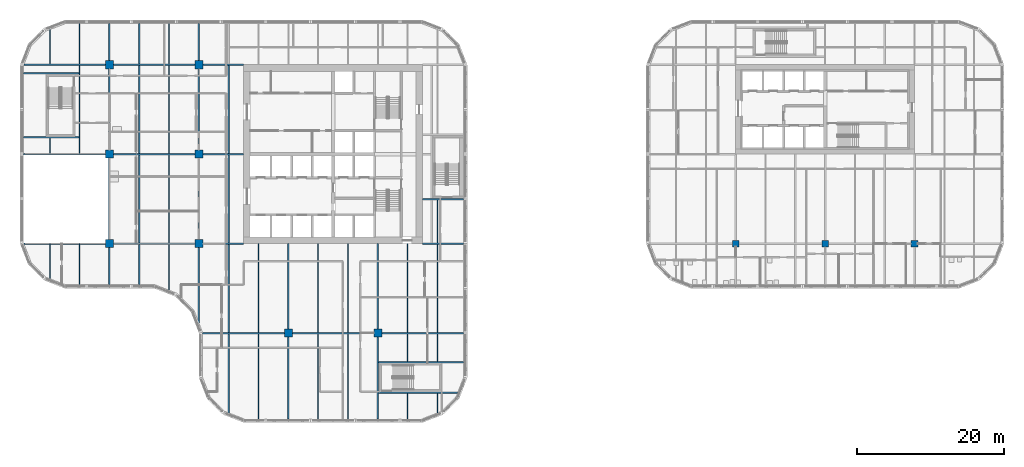
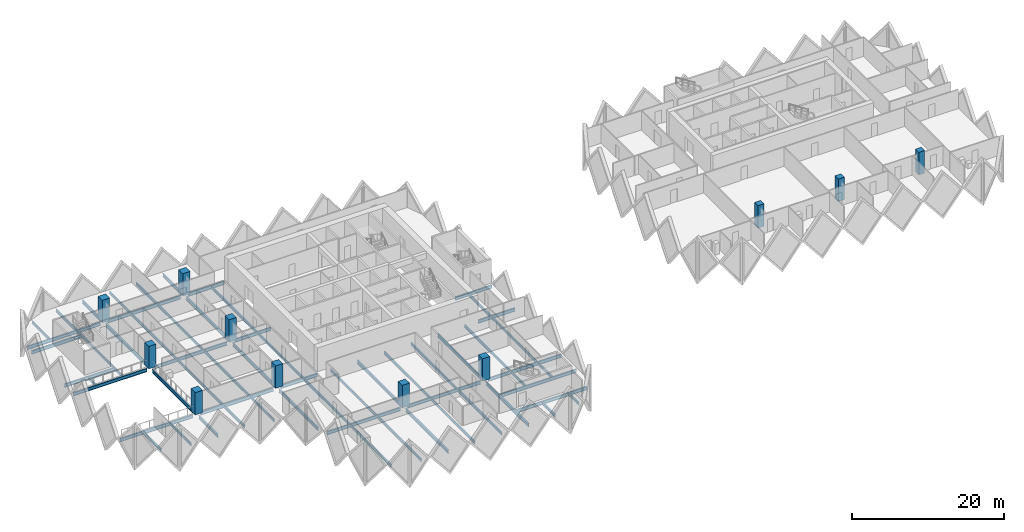
# One storey, part 1 of 20: 61 beams, 11 columns.
"""IFC4 building model written with IfcOpenShell, lengths in metres."""

import ifcopenshell
import ifcopenshell.guid

model = None  # the IFC model being written
_history = None  # IfcOwnerHistory: only IFC2X3 demands one
_inside = {}  # id of a spatial element -> (the spatial element, [elements in it])
_under = {}  # id of a project, library or spatial element -> (it, [spatial elements below it])
_declared = {}  # id of a project -> (the project, [libraries it declares])
_typed = {}  # id of a type object -> (the type object, [elements of that type])
_made_of = {}  # id of a material, layer set ... -> (it, [elements and type objects made of it])


def new_model(schema):
    """Start an empty IFC model of exactly this schema.

    Asked for "IFC4X3", IfcOpenShell would pick the latest addendum, in which some entities
    have other attributes; the version numbers below select the first issue.
    IFC2X3 requires an IfcOwnerHistory on every rooted entity: one is made here for all.
    """
    global model, _history
    if schema == "IFC4X3":
        model = ifcopenshell.file(schema_version=(4, 3, 0, 0))
    else:
        model = ifcopenshell.file(schema=schema)
    _inside.clear()
    _under.clear()
    _declared.clear()
    _typed.clear()
    _made_of.clear()
    _history = None
    if model.schema == "IFC2X3":
        org = make("IfcOrganization", Name="unknown")
        user = make(
            "IfcPersonAndOrganization",
            ThePerson=make("IfcPerson", FamilyName="unknown"),
            TheOrganization=org,
        )
        app = make(
            "IfcApplication",
            ApplicationDeveloper=org,
            Version="unknown",
            ApplicationFullName="unknown",
            ApplicationIdentifier="unknown",
        )
        _history = make(
            "IfcOwnerHistory",
            OwningUser=user,
            OwningApplication=app,
            ChangeAction="ADDED",
            CreationDate=0,
        )
    return model


def make(cls, **values):
    """One entity of the class cls with the attributes given. An attribute that is None is left unset."""
    return model.create_entity(
        cls, **{name: value for name, value in values.items() if value is not None}
    )


def rooted(cls, **values):
    """An entity with a GlobalId (a new one), such as an element, a storey or a relation."""
    return make(cls, GlobalId=ifcopenshell.guid.new(), OwnerHistory=_history, **values)


def si_unit(unit_type, name, prefix=None):
    """IfcSIUnit, for example si_unit("LENGTHUNIT", "METRE", prefix="MILLI")."""
    return make("IfcSIUnit", UnitType=unit_type, Prefix=prefix, Name=name)


def assignment(units):
    """IfcUnitAssignment: the units of a project."""
    return None if units is None else make("IfcUnitAssignment", Units=units)


def point(xyz):
    """IfcCartesianPoint."""
    return None if xyz is None else make("IfcCartesianPoint", Coordinates=xyz)


def direction(xyz):
    """IfcDirection."""
    return None if xyz is None else make("IfcDirection", DirectionRatios=xyz)


def frame(location, z_axis=None, x_axis=None):
    """IfcAxis2Placement3D, a coordinate frame: its origin and axes. An axis left out is left unset."""
    return make(
        "IfcAxis2Placement3D",
        Location=point(location),
        Axis=direction(z_axis),
        RefDirection=direction(x_axis),
    )


def frame_2d(location, x_axis=None):
    """IfcAxis2Placement2D, a coordinate frame in the plane: its origin and x axis."""
    return make(
        "IfcAxis2Placement2D", Location=point(location), RefDirection=direction(x_axis)
    )


def origin():
    """The frame at (0, 0, 0) with its axes left unset."""
    return frame((0.0, 0.0, 0.0))


def origin_2d():
    """The frame at (0, 0) in the plane with its x axis left unset."""
    return frame_2d((0.0, 0.0))


def place(relative_to, where):
    """IfcLocalPlacement: puts the frame where relative to a parent placement (None: the world)."""
    return make(
        "IfcLocalPlacement", PlacementRelTo=relative_to, RelativePlacement=where
    )


def context(
    kind, dimensions, precision=None, world=None, true_north=None, identifier=None
):
    """IfcGeometricRepresentationContext, for example the 3D "Model" context."""
    return make(
        "IfcGeometricRepresentationContext",
        ContextIdentifier=identifier,
        ContextType=kind,
        CoordinateSpaceDimension=dimensions,
        Precision=precision,
        WorldCoordinateSystem=world,
        TrueNorth=true_north,
    )


def subcontext(parent, identifier, kind, view, scale=None):
    """IfcGeometricRepresentationSubContext, for example "Body" below "Model"."""
    return make(
        "IfcGeometricRepresentationSubContext",
        ContextIdentifier=identifier,
        ContextType=kind,
        ParentContext=parent,
        TargetScale=scale,
        TargetView=view,
    )


def project(units=None, contexts=None):
    """IfcProject with its units and contexts."""
    return rooted(
        "IfcProject",
        Name="project",
        RepresentationContexts=contexts,
        UnitsInContext=assignment(units),
    )


def spatial(cls, under=None, at=None, **own):
    """A site, building, storey or space (cls), placed at a placement, below another one or the project."""
    s = rooted(cls, ObjectPlacement=at, **own)
    if under is not None:
        _under.setdefault(under.id(), (under, []))[1].append(s)
    return s


def profile(cls, at=None, kind="AREA", **sizes):
    """A parametric profile (cls). Its sizes go by their IFC names, for example OverallWidth=200.0."""
    return make(cls, ProfileType=kind, Position=at, **sizes)


def rectangle(**sizes):
    """IfcRectangleProfileDef."""
    return profile("IfcRectangleProfileDef", **sizes)


def i_section(**sizes):
    """IfcIShapeProfileDef."""
    return profile("IfcIShapeProfileDef", **sizes)


def extrude(swept, where, along, depth):
    """IfcExtrudedAreaSolid: the profile swept, set in the frame where, extruded along a direction by depth."""
    return make(
        "IfcExtrudedAreaSolid",
        SweptArea=swept,
        Position=where,
        ExtrudedDirection=direction(along),
        Depth=depth,
    )


def shape(context_of_items, identifier, shape_type, items):
    """IfcShapeRepresentation: the items that make up one representation, for example the "Body"."""
    return make(
        "IfcShapeRepresentation",
        ContextOfItems=context_of_items,
        RepresentationIdentifier=identifier,
        RepresentationType=shape_type,
        Items=items,
    )


def material(Name=None, Category=None):
    """IfcMaterial."""
    return make("IfcMaterial", Name=Name, Category=Category)


def material_profile(
    of_material, cross_section, Name=None, Category=None, Priority=None
):
    """IfcMaterialProfile: a cross section and its material."""
    return make(
        "IfcMaterialProfile",
        Name=Name,
        Material=of_material,
        Profile=cross_section,
        Priority=Priority,
        Category=Category,
    )


def profile_set(profiles, Name=None, composite=None):
    """IfcMaterialProfileSet."""
    return make(
        "IfcMaterialProfileSet",
        Name=Name,
        MaterialProfiles=profiles,
        CompositeProfile=composite,
    )


def made_of(thing, what):
    """Note that an element or type object is made of a material, layer set ...; save() writes the relation."""
    if what is not None:
        _made_of.setdefault(what.id(), (what, []))[1].append(thing)
    return thing


def type_object(cls, material=None, **own):
    """A type object (cls), such as IfcWallType, which elements share."""
    return made_of(rooted(cls, **own), material)


def element(
    cls,
    number,
    at=None,
    inside=None,
    cuts=None,
    type_object=None,
    material=None,
    context=None,
    identifier="Body",
    shape_type=None,
    held_by="IfcProductDefinitionShape",
    body=None,
    shapes=None,
    **own,
):
    """One element of the class cls, such as IfcWall. Its Tag is "e" and its number.

    at: its placement. inside: the storey or other place that contains it. cuts: it is an
    opening in that element (IfcRelVoidsElement). A single representation is given by context,
    identifier, shape_type and body (its items); several are given by shapes. held_by: the class
    of the entity that holds the representations. save() writes the other relations.
    """
    e = rooted(cls, Tag="e%d" % number, ObjectPlacement=at, **own)
    if body is not None:
        shapes = [shape(context, identifier, shape_type, body)]
    if shapes is not None:
        e.Representation = make(held_by, Representations=shapes)
    if inside is not None:
        _inside.setdefault(inside.id(), (inside, []))[1].append(e)
    if cuts is not None:
        rooted(
            "IfcRelVoidsElement", RelatingBuildingElement=cuts, RelatedOpeningElement=e
        )
    if type_object is not None:
        _typed.setdefault(type_object.id(), (type_object, []))[1].append(e)
    return made_of(e, material)


def aggregate(whole, parts):
    """IfcRelAggregates: a whole, such as a stair, and the parts it consists of."""
    return rooted("IfcRelAggregates", RelatingObject=whole, RelatedObjects=parts)


def save(model, path):
    """Write the relations noted so far, then the file.

    IfcRelAggregates (storeys below a building ...), IfcRelContainedInSpatialStructure (elements
    in a storey), IfcRelDefinesByType, IfcRelAssociatesMaterial and IfcRelDeclares: one each for
    every whole, place, type object, material and project.
    """
    for whole, parts in _under.values():
        aggregate(whole, parts)
    for where, things in _inside.values():
        rooted(
            "IfcRelContainedInSpatialStructure",
            RelatedElements=things,
            RelatingStructure=where,
        )
    for kind, things in _typed.values():
        rooted("IfcRelDefinesByType", RelatedObjects=things, RelatingType=kind)
    for what, things in _made_of.values():
        rooted("IfcRelAssociatesMaterial", RelatedObjects=things, RelatingMaterial=what)
    for by, libraries in _declared.values():
        rooted("IfcRelDeclares", RelatingContext=by, RelatedDefinitions=libraries)
    model.write(path)


model = new_model("IFC4")

# Units and contexts
model_context = context("Model", 3, precision=1e-05, world=origin(), true_north=direction((0.0, 1.0)))
body_context = subcontext(model_context, "Body", "Model", "MODEL_VIEW")
ifc_project = project(units=[si_unit("LENGTHUNIT", "METRE"), si_unit("AREAUNIT", "SQUARE_METRE"), si_unit("VOLUMEUNIT", "CUBIC_METRE"), si_unit("PLANEANGLEUNIT", "RADIAN"), si_unit("MASSUNIT", "GRAM", prefix="KILO")], contexts=[model_context])

# Site, building, storey
site_placement = place(None, origin())
site = spatial("IfcSite", under=ifc_project, at=site_placement, CompositionType="ELEMENT")
building_placement = place(site_placement, origin())
building = spatial("IfcBuilding", under=site, at=building_placement, Name="Tessera Gate Towers", CompositionType="ELEMENT")
storey_placement = place(building_placement, frame((0.0, 0.0, 48.60009765625)))
storey = spatial("IfcBuildingStorey", under=building, at=storey_placement, Name="L11", CompositionType="ELEMENT", Elevation=48.60009765625)

# Columns
ifc_material_1 = material(Name="Concrete C70/85", Category="concrete")
ifc_material_profile_1 = material_profile(ifc_material_1, rectangle(XDim=1.10009765625, YDim=1.10009765625, at=origin_2d()), Name="RC 1100x1100")
ifc_profile_set_1 = profile_set([ifc_material_profile_1], Name="Concrete C70/85")
column_type_1 = type_object("IfcColumnType", Name="COLUMN RC 1100x1100", PredefinedType="COLUMN", material=ifc_profile_set_1)
for number, where, z_axis, x_axis, name in (
    (1, (12.199951171875, 24.39990234375, 0.0), (0.0, 0.0, 1.0), (1.0, 0.0, 0.0), "T1-COL-2C-L11"),
    (2, (12.199951171875, 36.60009765625, 0.0), (0.0, 0.0, 1.0), (1.0, 0.0, 0.0), "T1-COL-2D-L11"),
    (3, (12.199951171875, 48.800048828125, 0.0), (0.0, 0.0, 1.0), (1.0, 0.0, 0.0), "T1-COL-2E-L11"),
    (4, (24.39990234375, 24.39990234375, 0.0), (0.0, 0.0, 1.0), (1.0, 0.0, 0.0), "T1-COL-3C-L11"),
    (5, (24.39990234375, 36.60009765625, 0.0), (0.0, 0.0, 1.0), (1.0, 0.0, 0.0), "T1-COL-3D-L11"),
    (6, (24.39990234375, 48.800048828125, 0.0), (0.0, 0.0, 1.0), (1.0, 0.0, 0.0), "T1-COL-3E-L11"),
    (7, (36.60009765625, 12.199951171875, 0.0), (0.0, 0.0, 1.0), (1.0, 0.0, 0.0), "T1-COL-4B-L11"),
    (8, (48.800048828125, 12.199951171875, 0.0), (0.0, 0.0, 1.0), (1.0, 0.0, 0.0), "T1-COL-5B-L11"),
):
    element("IfcColumn", number, at=place(storey_placement, frame(where, z_axis=z_axis, x_axis=x_axis)), inside=storey, type_object=column_type_1, Name=name, PredefinedType="COLUMN", context=body_context, shape_type="SweptSolid", body=[
        extrude(rectangle(XDim=1.10009765625, YDim=1.10009765625, at=origin_2d()), origin(), (0.0, 0.0, 1.0), 3.599853515625),
    ])
ifc_material_2 = material(Name="Concrete C70/85", Category="concrete")
ifc_material_profile_2 = material_profile(ifc_material_2, rectangle(XDim=0.89990234375, YDim=0.89990234375, at=origin_2d()), Name="RC 900x900")
ifc_profile_set_2 = profile_set([ifc_material_profile_2], Name="Concrete C70/85")
column_type_2 = type_object("IfcColumnType", Name="COLUMN RC 900x900", PredefinedType="COLUMN", material=ifc_profile_set_2)
for number, where, z_axis, x_axis, name in (
    (9, (97.60009765625, 24.39990234375, 0.0), (0.0, 0.0, 1.0), (1.0, 0.0, 0.0), "T2-COL-9C-L11"),
    (10, (109.800048828125, 24.39990234375, 0.0), (0.0, 0.0, 1.0), (1.0, 0.0, 0.0), "T2-COL-10C-L11"),
    (11, (122.0, 24.39990234375, 0.0), (0.0, 0.0, 1.0), (1.0, 0.0, 0.0), "T2-COL-11C-L11"),
):
    element("IfcColumn", number, at=place(storey_placement, frame(where, z_axis=z_axis, x_axis=x_axis)), inside=storey, type_object=column_type_2, Name=name, PredefinedType="COLUMN", context=body_context, shape_type="SweptSolid", body=[
        extrude(rectangle(XDim=0.89990234375, YDim=0.89990234375, at=origin_2d()), origin(), (0.0, 0.0, 1.0), 3.599853515625),
    ])

# Beams
ifc_material_3 = material(Name="Steel 350W", Category="steel")
ifc_material_profile_3 = material_profile(ifc_material_3, i_section(OverallWidth=0.208984375, OverallDepth=0.532958984375, WebThickness=0.01025390625, FlangeThickness=0.015625, at=origin_2d()), Name="W530x92")
ifc_profile_set_3 = profile_set([ifc_material_profile_3], Name="Steel 350W")
beam_type_1 = type_object("IfcBeamType", Name="FLOOR GIRDER W530x92", PredefinedType="BEAM", material=ifc_profile_set_3)
beam_1_placement = place(storey_placement, frame((24.89892578125, 12.199951171875, -0.466552734375), z_axis=(1.0, 0.0, 0.0), x_axis=(0.0, 1.0, 0.0)))
element("IfcBeam", 12, at=beam_1_placement, inside=storey, type_object=beam_type_1, Name="T1-GD-L11-1633", PredefinedType="BEAM", context=body_context, shape_type="SweptSolid", body=[
    extrude(i_section(OverallWidth=0.208984375, OverallDepth=0.532958984375, WebThickness=0.01025390625, FlangeThickness=0.015625, at=origin_2d()), origin(), (0.0, 0.0, 1.0), 11.151123046875),
])
beam_2_placement = place(storey_placement, frame((37.14990234375, 12.199951171875, -0.466552734375), z_axis=(1.0, 0.0, 0.0), x_axis=(0.0, 1.0, 0.0)))
element("IfcBeam", 13, at=beam_2_placement, inside=storey, type_object=beam_type_1, Name="T1-GD-L11-1634", PredefinedType="BEAM", context=body_context, shape_type="SweptSolid", body=[
    extrude(i_section(OverallWidth=0.208984375, OverallDepth=0.532958984375, WebThickness=0.01025390625, FlangeThickness=0.015625, at=origin_2d()), origin(), (0.0, 0.0, 1.0), 11.10009765625),
])
beam_3_placement = place(storey_placement, frame((49.35009765625, 12.199951171875, -0.466552734375), z_axis=(1.0, 0.0, 0.0), x_axis=(0.0, 1.0, 0.0)))
element("IfcBeam", 14, at=beam_3_placement, inside=storey, type_object=beam_type_1, Name="T1-GD-L11-1635", PredefinedType="BEAM", context=body_context, shape_type="SweptSolid", body=[
    extrude(i_section(OverallWidth=0.208984375, OverallDepth=0.532958984375, WebThickness=0.01025390625, FlangeThickness=0.015625, at=origin_2d()), origin(), (0.0, 0.0, 1.0), 11.15087890625),
])
beam_4_placement = place(storey_placement, frame((0.534912109375, 24.39990234375, -0.466552734375), z_axis=(1.0, 0.0, 0.0), x_axis=(0.0, 1.0, 0.0)))
element("IfcBeam", 15, at=beam_4_placement, inside=storey, type_object=beam_type_1, Name="T1-GD-L11-1636", PredefinedType="BEAM", context=body_context, shape_type="SweptSolid", body=[
    extrude(i_section(OverallWidth=0.208984375, OverallDepth=0.532958984375, WebThickness=0.01025390625, FlangeThickness=0.015625, at=origin_2d()), origin(), (0.0, 0.0, 1.0), 11.114990234375),
])
beam_5_placement = place(storey_placement, frame((12.75, 24.39990234375, -0.466552734375), z_axis=(1.0, 0.0, 0.0), x_axis=(0.0, 1.0, 0.0)))
element("IfcBeam", 16, at=beam_5_placement, inside=storey, type_object=beam_type_1, Name="T1-GD-L11-1637", PredefinedType="BEAM", context=body_context, shape_type="SweptSolid", body=[
    extrude(i_section(OverallWidth=0.208984375, OverallDepth=0.532958984375, WebThickness=0.01025390625, FlangeThickness=0.015625, at=origin_2d()), origin(), (0.0, 0.0, 1.0), 11.10009765625),
])
beam_6_placement = place(storey_placement, frame((24.949951171875, 24.39990234375, -0.466552734375), z_axis=(1.0, 0.0, 0.0), x_axis=(0.0, 1.0, 0.0)))
element("IfcBeam", 17, at=beam_6_placement, inside=storey, type_object=beam_type_1, Name="T1-GD-L11-1638", PredefinedType="BEAM", context=body_context, shape_type="SweptSolid", body=[
    extrude(i_section(OverallWidth=0.208984375, OverallDepth=0.532958984375, WebThickness=0.01025390625, FlangeThickness=0.015625, at=origin_2d()), origin(), (0.0, 0.0, 1.0), 5.549072265625),
])
beam_7_placement = place(storey_placement, frame((54.90087890625, 24.39990234375, -0.466552734375), z_axis=(1.0, 0.0, 0.0), x_axis=(0.0, 1.0, 0.0)))
element("IfcBeam", 18, at=beam_7_placement, inside=storey, type_object=beam_type_1, Name="T1-GD-L11-1639", PredefinedType="BEAM", context=body_context, shape_type="SweptSolid", body=[
    extrude(i_section(OverallWidth=0.208984375, OverallDepth=0.532958984375, WebThickness=0.01025390625, FlangeThickness=0.015625, at=origin_2d()), origin(), (0.0, 0.0, 1.0), 5.60009765625),
])
beam_8_placement = place(storey_placement, frame((0.4990234375, 36.60009765625, -0.466552734375), z_axis=(1.0, 0.0, 0.0), x_axis=(0.0, 1.0, 0.0)))
element("IfcBeam", 19, at=beam_8_placement, inside=storey, type_object=beam_type_1, Name="T1-GD-L11-1640", PredefinedType="BEAM", context=body_context, shape_type="SweptSolid", body=[
    extrude(i_section(OverallWidth=0.208984375, OverallDepth=0.532958984375, WebThickness=0.01025390625, FlangeThickness=0.015625, at=origin_2d()), origin(), (0.0, 0.0, 1.0), 11.15087890625),
])
beam_9_placement = place(storey_placement, frame((12.75, 36.60009765625, -0.466552734375), z_axis=(1.0, 0.0, 0.0), x_axis=(0.0, 1.0, 0.0)))
element("IfcBeam", 20, at=beam_9_placement, inside=storey, type_object=beam_type_1, Name="T1-GD-L11-1641", PredefinedType="BEAM", context=body_context, shape_type="SweptSolid", body=[
    extrude(i_section(OverallWidth=0.208984375, OverallDepth=0.532958984375, WebThickness=0.01025390625, FlangeThickness=0.015625, at=origin_2d()), origin(), (0.0, 0.0, 1.0), 11.10009765625),
])
beam_10_placement = place(storey_placement, frame((24.949951171875, 36.60009765625, -0.466552734375), z_axis=(1.0, 0.0, 0.0), x_axis=(0.0, 1.0, 0.0)))
element("IfcBeam", 21, at=beam_10_placement, inside=storey, type_object=beam_type_1, Name="T1-GD-L11-1642", PredefinedType="BEAM", context=body_context, shape_type="SweptSolid", body=[
    extrude(i_section(OverallWidth=0.208984375, OverallDepth=0.532958984375, WebThickness=0.01025390625, FlangeThickness=0.015625, at=origin_2d()), origin(), (0.0, 0.0, 1.0), 5.551025390625),
])
beam_11_placement = place(storey_placement, frame((0.534912109375, 48.800048828125, -0.466552734375), z_axis=(1.0, 0.0, 0.0), x_axis=(0.0, 1.0, 0.0)))
element("IfcBeam", 22, at=beam_11_placement, inside=storey, type_object=beam_type_1, Name="T1-GD-L11-1644", PredefinedType="BEAM", context=body_context, shape_type="SweptSolid", body=[
    extrude(i_section(OverallWidth=0.208984375, OverallDepth=0.532958984375, WebThickness=0.01025390625, FlangeThickness=0.015625, at=origin_2d()), origin(), (0.0, 0.0, 1.0), 11.114990234375),
])
beam_12_placement = place(storey_placement, frame((12.75, 48.800048828125, -0.466552734375), z_axis=(1.0, 0.0, 0.0), x_axis=(0.0, 1.0, 0.0)))
element("IfcBeam", 23, at=beam_12_placement, inside=storey, type_object=beam_type_1, Name="T1-GD-L11-1645", PredefinedType="BEAM", context=body_context, shape_type="SweptSolid", body=[
    extrude(i_section(OverallWidth=0.208984375, OverallDepth=0.532958984375, WebThickness=0.01025390625, FlangeThickness=0.015625, at=origin_2d()), origin(), (0.0, 0.0, 1.0), 11.10009765625),
])
beam_13_placement = place(storey_placement, frame((24.949951171875, 48.800048828125, -0.466552734375), z_axis=(1.0, 0.0, 0.0), x_axis=(0.0, 1.0, 0.0)))
element("IfcBeam", 24, at=beam_13_placement, inside=storey, type_object=beam_type_1, Name="T1-GD-L11-1646", PredefinedType="BEAM", context=body_context, shape_type="SweptSolid", body=[
    extrude(i_section(OverallWidth=0.208984375, OverallDepth=0.532958984375, WebThickness=0.01025390625, FlangeThickness=0.015625, at=origin_2d()), origin(), (0.0, 0.0, 1.0), 5.549072265625),
])
beam_14_placement = place(storey_placement, frame((12.199951171875, 18.799072265625, -0.466552734375), z_axis=(0.0, 1.0, 0.0), x_axis=(-1.0, 0.0, 0.0)))
element("IfcBeam", 25, at=beam_14_placement, inside=storey, type_object=beam_type_1, Name="T1-GD-L11-1648", PredefinedType="BEAM", context=body_context, shape_type="SweptSolid", body=[
    extrude(i_section(OverallWidth=0.208984375, OverallDepth=0.532958984375, WebThickness=0.01025390625, FlangeThickness=0.015625, at=origin_2d()), origin(), (0.0, 0.0, 1.0), 5.051025390625),
])
for number, where, z_axis, x_axis, name in (
    (26, (12.199951171875, 24.949951171875, -0.466552734375), (0.0, 1.0, 0.0), (-1.0, 0.0, 0.0), "T1-GD-L11-1649"),
    (27, (12.199951171875, 37.14990234375, -0.466552734375), (0.0, 1.0, 0.0), (-1.0, 0.0, 0.0), "T1-GD-L11-1650"),
):
    element("IfcBeam", number, at=place(storey_placement, frame(where, z_axis=z_axis, x_axis=x_axis)), inside=storey, type_object=beam_type_1, Name=name, PredefinedType="BEAM", context=body_context, shape_type="SweptSolid", body=[
        extrude(i_section(OverallWidth=0.208984375, OverallDepth=0.532958984375, WebThickness=0.01025390625, FlangeThickness=0.015625, at=origin_2d()), origin(), (0.0, 0.0, 1.0), 11.10009765625),
    ])
beam_15_placement = place(storey_placement, frame((12.199951171875, 49.35009765625, -0.466552734375), z_axis=(0.0, 1.0, 0.0), x_axis=(-1.0, 0.0, 0.0)))
element("IfcBeam", 28, at=beam_15_placement, inside=storey, type_object=beam_type_1, Name="T1-GD-L11-1651", PredefinedType="BEAM", context=body_context, shape_type="SweptSolid", body=[
    extrude(i_section(OverallWidth=0.208984375, OverallDepth=0.532958984375, WebThickness=0.01025390625, FlangeThickness=0.015625, at=origin_2d()), origin(), (0.0, 0.0, 1.0), 5.05078125),
])
beam_16_placement = place(storey_placement, frame((24.39990234375, 13.58642578125, -0.466552734375), z_axis=(0.0, 1.0, 0.0), x_axis=(-1.0, 0.0, 0.0)))
element("IfcBeam", 29, at=beam_16_placement, inside=storey, type_object=beam_type_1, Name="T1-GD-L11-1652", PredefinedType="BEAM", context=body_context, shape_type="SweptSolid", body=[
    extrude(i_section(OverallWidth=0.208984375, OverallDepth=0.532958984375, WebThickness=0.01025390625, FlangeThickness=0.015625, at=origin_2d()), origin(), (0.0, 0.0, 1.0), 10.263671875),
])
for number, where, z_axis, x_axis, name in (
    (30, (24.39990234375, 24.949951171875, -0.466552734375), (0.0, 1.0, 0.0), (-1.0, 0.0, 0.0), "T1-GD-L11-1653"),
    (31, (24.39990234375, 37.14990234375, -0.466552734375), (0.0, 1.0, 0.0), (-1.0, 0.0, 0.0), "T1-GD-L11-1654"),
):
    element("IfcBeam", number, at=place(storey_placement, frame(where, z_axis=z_axis, x_axis=x_axis)), inside=storey, type_object=beam_type_1, Name=name, PredefinedType="BEAM", context=body_context, shape_type="SweptSolid", body=[
        extrude(i_section(OverallWidth=0.208984375, OverallDepth=0.532958984375, WebThickness=0.01025390625, FlangeThickness=0.015625, at=origin_2d()), origin(), (0.0, 0.0, 1.0), 11.10009765625),
    ])
beam_17_placement = place(storey_placement, frame((24.39990234375, 49.35009765625, -0.466552734375), z_axis=(0.0, 1.0, 0.0), x_axis=(-1.0, 0.0, 0.0)))
element("IfcBeam", 32, at=beam_17_placement, inside=storey, type_object=beam_type_1, Name="T1-GD-L11-1655", PredefinedType="BEAM", context=body_context, shape_type="SweptSolid", body=[
    extrude(i_section(OverallWidth=0.208984375, OverallDepth=0.532958984375, WebThickness=0.01025390625, FlangeThickness=0.015625, at=origin_2d()), origin(), (0.0, 0.0, 1.0), 5.05078125),
])
beam_18_placement = place(storey_placement, frame((36.60009765625, 0.4990234375, -0.466552734375), z_axis=(0.0, 1.0, 0.0), x_axis=(-1.0, 0.0, 0.0)))
element("IfcBeam", 33, at=beam_18_placement, inside=storey, type_object=beam_type_1, Name="T1-GD-L11-1656", PredefinedType="BEAM", context=body_context, shape_type="SweptSolid", body=[
    extrude(i_section(OverallWidth=0.208984375, OverallDepth=0.532958984375, WebThickness=0.01025390625, FlangeThickness=0.015625, at=origin_2d()), origin(), (0.0, 0.0, 1.0), 11.15087890625),
])
beam_19_placement = place(storey_placement, frame((36.60009765625, 12.75, -0.466552734375), z_axis=(0.0, 1.0, 0.0), x_axis=(-1.0, 0.0, 0.0)))
element("IfcBeam", 34, at=beam_19_placement, inside=storey, type_object=beam_type_1, Name="T1-GD-L11-1657", PredefinedType="BEAM", context=body_context, shape_type="SweptSolid", body=[
    extrude(i_section(OverallWidth=0.208984375, OverallDepth=0.532958984375, WebThickness=0.01025390625, FlangeThickness=0.015625, at=origin_2d()), origin(), (0.0, 0.0, 1.0), 11.64990234375),
])
beam_20_placement = place(storey_placement, frame((48.800048828125, 0.4990234375, -0.466552734375), z_axis=(0.0, 1.0, 0.0), x_axis=(-1.0, 0.0, 0.0)))
element("IfcBeam", 35, at=beam_20_placement, inside=storey, type_object=beam_type_1, Name="T1-GD-L11-1658", PredefinedType="BEAM", context=body_context, shape_type="SweptSolid", body=[
    extrude(i_section(OverallWidth=0.208984375, OverallDepth=0.532958984375, WebThickness=0.01025390625, FlangeThickness=0.015625, at=origin_2d()), origin(), (0.0, 0.0, 1.0), 11.15087890625),
])
beam_21_placement = place(storey_placement, frame((48.800048828125, 12.75, -0.466552734375), z_axis=(0.0, 1.0, 0.0), x_axis=(-1.0, 0.0, 0.0)))
element("IfcBeam", 36, at=beam_21_placement, inside=storey, type_object=beam_type_1, Name="T1-GD-L11-1659", PredefinedType="BEAM", context=body_context, shape_type="SweptSolid", body=[
    extrude(i_section(OverallWidth=0.208984375, OverallDepth=0.532958984375, WebThickness=0.01025390625, FlangeThickness=0.015625, at=origin_2d()), origin(), (0.0, 0.0, 1.0), 11.64990234375),
])
for number, where, z_axis, x_axis, name in (
    (37, (0.4990234375, 38.8798828125, -0.466552734375), (1.0, 0.0, 0.0), (0.0, 1.0, 0.0), "T1-GD-L11-1660"),
    (38, (0.4990234375, 47.6201171875, -0.466552734375), (1.0, 0.0, 0.0), (0.0, 1.0, 0.0), "T1-GD-L11-1661"),
):
    element("IfcBeam", number, at=place(storey_placement, frame(where, z_axis=z_axis, x_axis=x_axis)), inside=storey, type_object=beam_type_1, Name=name, PredefinedType="BEAM", context=body_context, shape_type="SweptSolid", body=[
        extrude(i_section(OverallWidth=0.208984375, OverallDepth=0.532958984375, WebThickness=0.01025390625, FlangeThickness=0.015625, at=origin_2d()), origin(), (0.0, 0.0, 1.0), 7.557861328125),
    ])
beam_22_placement = place(storey_placement, frame((48.87646484375, 4.080078125, -0.466552734375), z_axis=(1.0, 0.0, 0.0), x_axis=(0.0, 1.0, 0.0)))
element("IfcBeam", 39, at=beam_22_placement, inside=storey, type_object=beam_type_1, Name="T1-GD-L11-1662", PredefinedType="BEAM", context=body_context, shape_type="SweptSolid", body=[
    extrude(i_section(OverallWidth=0.208984375, OverallDepth=0.532958984375, WebThickness=0.01025390625, FlangeThickness=0.015625, at=origin_2d()), origin(), (0.0, 0.0, 1.0), 10.809326171875),
])
beam_23_placement = place(storey_placement, frame((48.87646484375, 8.219970703125, -0.466552734375), z_axis=(1.0, 0.0, 0.0), x_axis=(0.0, 1.0, 0.0)))
element("IfcBeam", 40, at=beam_23_placement, inside=storey, type_object=beam_type_1, Name="T1-GD-L11-1663", PredefinedType="BEAM", context=body_context, shape_type="SweptSolid", body=[
    extrude(i_section(OverallWidth=0.208984375, OverallDepth=0.532958984375, WebThickness=0.01025390625, FlangeThickness=0.015625, at=origin_2d()), origin(), (0.0, 0.0, 1.0), 11.62451171875),
])
beam_24_placement = place(storey_placement, frame((54.89892578125, 30.47998046875, -0.466552734375), z_axis=(1.0, 0.0, 0.0), x_axis=(0.0, 1.0, 0.0)))
element("IfcBeam", 41, at=beam_24_placement, inside=storey, type_object=beam_type_1, Name="T1-GD-L11-1664", PredefinedType="BEAM", context=body_context, shape_type="SweptSolid", body=[
    extrude(i_section(OverallWidth=0.208984375, OverallDepth=0.532958984375, WebThickness=0.01025390625, FlangeThickness=0.015625, at=origin_2d()), origin(), (0.0, 0.0, 1.0), 5.60205078125),
])
ifc_material_4 = material(Name="Steel 350W", Category="steel")
ifc_material_profile_4 = material_profile(ifc_material_4, i_section(OverallWidth=0.153076171875, OverallDepth=0.455078125, WebThickness=0.008056640625, FlangeThickness=0.01318359375, at=origin_2d()), Name="W460x60")
ifc_profile_set_4 = profile_set([ifc_material_profile_4], Name="Steel 350W")
beam_type_2 = type_object("IfcBeamType", Name="FLOOR SECONDARY W460x60", PredefinedType="BEAM", material=ifc_profile_set_4)
beam_25_placement = place(storey_placement, frame((4.066650390625, 19.620361328125, -0.427490234375), z_axis=(0.0, 1.0, 0.0), x_axis=(-1.0, 0.0, 0.0)))
element("IfcBeam", 42, at=beam_25_placement, inside=storey, type_object=beam_type_2, Name="T1-BM-L11-1667", PredefinedType="BEAM", context=body_context, shape_type="SweptSolid", body=[
    extrude(i_section(OverallWidth=0.153076171875, OverallDepth=0.455078125, WebThickness=0.008056640625, FlangeThickness=0.01318359375, at=origin_2d()), origin(), (0.0, 0.0, 1.0), 4.779541015625),
])
beam_26_placement = place(storey_placement, frame((4.066650390625, 36.70458984375, -0.427490234375), z_axis=(0.0, 1.0, 0.0), x_axis=(-1.0, 0.0, 0.0)))
element("IfcBeam", 43, at=beam_26_placement, inside=storey, type_object=beam_type_2, Name="T1-BM-L11-1668", PredefinedType="BEAM", context=body_context, shape_type="SweptSolid", body=[
    extrude(i_section(OverallWidth=0.153076171875, OverallDepth=0.455078125, WebThickness=0.008056640625, FlangeThickness=0.01318359375, at=origin_2d()), origin(), (0.0, 0.0, 1.0), 2.07080078125),
])
beam_27_placement = place(storey_placement, frame((4.066650390625, 48.904541015625, -0.427490234375), z_axis=(0.0, 1.0, 0.0), x_axis=(-1.0, 0.0, 0.0)))
element("IfcBeam", 44, at=beam_27_placement, inside=storey, type_object=beam_type_2, Name="T1-BM-L11-1669", PredefinedType="BEAM", context=body_context, shape_type="SweptSolid", body=[
    extrude(i_section(OverallWidth=0.153076171875, OverallDepth=0.455078125, WebThickness=0.008056640625, FlangeThickness=0.01318359375, at=origin_2d()), origin(), (0.0, 0.0, 1.0), 4.675048828125),
])
beam_28_placement = place(storey_placement, frame((8.13330078125, 18.800048828125, -0.427490234375), z_axis=(0.0, 1.0, 0.0), x_axis=(-1.0, 0.0, 0.0)))
element("IfcBeam", 45, at=beam_28_placement, inside=storey, type_object=beam_type_2, Name="T1-BM-L11-1670", PredefinedType="BEAM", context=body_context, shape_type="SweptSolid", body=[
    extrude(i_section(OverallWidth=0.153076171875, OverallDepth=0.455078125, WebThickness=0.008056640625, FlangeThickness=0.01318359375, at=origin_2d()), origin(), (0.0, 0.0, 1.0), 5.599853515625),
])
beam_29_placement = place(storey_placement, frame((8.13330078125, 36.70458984375, -0.427490234375), z_axis=(0.0, 1.0, 0.0), x_axis=(-1.0, 0.0, 0.0)))
element("IfcBeam", 46, at=beam_29_placement, inside=storey, type_object=beam_type_2, Name="T1-BM-L11-1671", PredefinedType="BEAM", context=body_context, shape_type="SweptSolid", body=[
    extrude(i_section(OverallWidth=0.153076171875, OverallDepth=0.455078125, WebThickness=0.008056640625, FlangeThickness=0.01318359375, at=origin_2d()), origin(), (0.0, 0.0, 1.0), 11.990966796875),
])
for number, where, z_axis, x_axis, name in (
    (47, (8.13330078125, 48.904541015625, -0.427490234375), (0.0, 1.0, 0.0), (-1.0, 0.0, 0.0), "T1-BM-L11-1672"),
    (48, (16.2666015625, 18.800048828125, -0.427490234375), (0.0, 1.0, 0.0), (-1.0, 0.0, 0.0), "T1-BM-L11-1673"),
):
    element("IfcBeam", number, at=place(storey_placement, frame(where, z_axis=z_axis, x_axis=x_axis)), inside=storey, type_object=beam_type_2, Name=name, PredefinedType="BEAM", context=body_context, shape_type="SweptSolid", body=[
        extrude(i_section(OverallWidth=0.153076171875, OverallDepth=0.455078125, WebThickness=0.008056640625, FlangeThickness=0.01318359375, at=origin_2d()), origin(), (0.0, 0.0, 1.0), 5.495361328125),
    ])
beam_30_placement = place(storey_placement, frame((16.2666015625, 24.50439453125, -0.427490234375), z_axis=(0.0, 1.0, 0.0), x_axis=(-1.0, 0.0, 0.0)))
element("IfcBeam", 49, at=beam_30_placement, inside=storey, type_object=beam_type_2, Name="T1-BM-L11-1674", PredefinedType="BEAM", context=body_context, shape_type="SweptSolid", body=[
    extrude(i_section(OverallWidth=0.153076171875, OverallDepth=0.455078125, WebThickness=0.008056640625, FlangeThickness=0.01318359375, at=origin_2d()), origin(), (0.0, 0.0, 1.0), 11.9912109375),
])
beam_31_placement = place(storey_placement, frame((16.2666015625, 36.70458984375, -0.427490234375), z_axis=(0.0, 1.0, 0.0), x_axis=(-1.0, 0.0, 0.0)))
element("IfcBeam", 50, at=beam_31_placement, inside=storey, type_object=beam_type_2, Name="T1-BM-L11-1675", PredefinedType="BEAM", context=body_context, shape_type="SweptSolid", body=[
    extrude(i_section(OverallWidth=0.153076171875, OverallDepth=0.455078125, WebThickness=0.008056640625, FlangeThickness=0.01318359375, at=origin_2d()), origin(), (0.0, 0.0, 1.0), 11.990966796875),
])
beam_32_placement = place(storey_placement, frame((16.2666015625, 48.904541015625, -0.427490234375), z_axis=(0.0, 1.0, 0.0), x_axis=(-1.0, 0.0, 0.0)))
element("IfcBeam", 51, at=beam_32_placement, inside=storey, type_object=beam_type_2, Name="T1-BM-L11-1676", PredefinedType="BEAM", context=body_context, shape_type="SweptSolid", body=[
    extrude(i_section(OverallWidth=0.153076171875, OverallDepth=0.455078125, WebThickness=0.008056640625, FlangeThickness=0.01318359375, at=origin_2d()), origin(), (0.0, 0.0, 1.0), 5.495361328125),
])
beam_33_placement = place(storey_placement, frame((20.333251953125, 18.051513671875, -0.427490234375), z_axis=(0.0, 1.0, 0.0), x_axis=(-1.0, 0.0, 0.0)))
element("IfcBeam", 52, at=beam_33_placement, inside=storey, type_object=beam_type_2, Name="T1-BM-L11-1677", PredefinedType="BEAM", context=body_context, shape_type="SweptSolid", body=[
    extrude(i_section(OverallWidth=0.153076171875, OverallDepth=0.455078125, WebThickness=0.008056640625, FlangeThickness=0.01318359375, at=origin_2d()), origin(), (0.0, 0.0, 1.0), 6.243896484375),
])
beam_34_placement = place(storey_placement, frame((20.333251953125, 24.50439453125, -0.427490234375), z_axis=(0.0, 1.0, 0.0), x_axis=(-1.0, 0.0, 0.0)))
element("IfcBeam", 53, at=beam_34_placement, inside=storey, type_object=beam_type_2, Name="T1-BM-L11-1678", PredefinedType="BEAM", context=body_context, shape_type="SweptSolid", body=[
    extrude(i_section(OverallWidth=0.153076171875, OverallDepth=0.455078125, WebThickness=0.008056640625, FlangeThickness=0.01318359375, at=origin_2d()), origin(), (0.0, 0.0, 1.0), 11.9912109375),
])
beam_35_placement = place(storey_placement, frame((20.333251953125, 36.70458984375, -0.427490234375), z_axis=(0.0, 1.0, 0.0), x_axis=(-1.0, 0.0, 0.0)))
element("IfcBeam", 54, at=beam_35_placement, inside=storey, type_object=beam_type_2, Name="T1-BM-L11-1679", PredefinedType="BEAM", context=body_context, shape_type="SweptSolid", body=[
    extrude(i_section(OverallWidth=0.153076171875, OverallDepth=0.455078125, WebThickness=0.008056640625, FlangeThickness=0.01318359375, at=origin_2d()), origin(), (0.0, 0.0, 1.0), 11.990966796875),
])
beam_36_placement = place(storey_placement, frame((20.333251953125, 48.904541015625, -0.427490234375), z_axis=(0.0, 1.0, 0.0), x_axis=(-1.0, 0.0, 0.0)))
element("IfcBeam", 55, at=beam_36_placement, inside=storey, type_object=beam_type_2, Name="T1-BM-L11-1680", PredefinedType="BEAM", context=body_context, shape_type="SweptSolid", body=[
    extrude(i_section(OverallWidth=0.153076171875, OverallDepth=0.455078125, WebThickness=0.008056640625, FlangeThickness=0.01318359375, at=origin_2d()), origin(), (0.0, 0.0, 1.0), 5.495361328125),
])
beam_37_placement = place(storey_placement, frame((28.466796875, 1.3203125, -0.427490234375), z_axis=(0.0, 1.0, 0.0), x_axis=(-1.0, 0.0, 0.0)))
element("IfcBeam", 56, at=beam_37_placement, inside=storey, type_object=beam_type_2, Name="T1-BM-L11-1681", PredefinedType="BEAM", context=body_context, shape_type="SweptSolid", body=[
    extrude(i_section(OverallWidth=0.153076171875, OverallDepth=0.455078125, WebThickness=0.008056640625, FlangeThickness=0.01318359375, at=origin_2d()), origin(), (0.0, 0.0, 1.0), 10.775146484375),
])
beam_38_placement = place(storey_placement, frame((28.466796875, 12.304443359375, -0.427490234375), z_axis=(0.0, 1.0, 0.0), x_axis=(-1.0, 0.0, 0.0)))
element("IfcBeam", 57, at=beam_38_placement, inside=storey, type_object=beam_type_2, Name="T1-BM-L11-1682", PredefinedType="BEAM", context=body_context, shape_type="SweptSolid", body=[
    extrude(i_section(OverallWidth=0.153076171875, OverallDepth=0.455078125, WebThickness=0.008056640625, FlangeThickness=0.01318359375, at=origin_2d()), origin(), (0.0, 0.0, 1.0), 11.990966796875),
])
beam_39_placement = place(storey_placement, frame((28.466796875, 24.50439453125, -0.427490234375), z_axis=(0.0, 1.0, 0.0), x_axis=(-1.0, 0.0, 0.0)))
element("IfcBeam", 58, at=beam_39_placement, inside=storey, type_object=beam_type_2, Name="T1-BM-L11-1683", PredefinedType="BEAM", context=body_context, shape_type="SweptSolid", body=[
    extrude(i_section(OverallWidth=0.153076171875, OverallDepth=0.455078125, WebThickness=0.008056640625, FlangeThickness=0.01318359375, at=origin_2d()), origin(), (0.0, 0.0, 1.0), 11.9912109375),
])
beam_40_placement = place(storey_placement, frame((28.466796875, 36.70458984375, -0.427490234375), z_axis=(0.0, 1.0, 0.0), x_axis=(-1.0, 0.0, 0.0)))
element("IfcBeam", 59, at=beam_40_placement, inside=storey, type_object=beam_type_2, Name="T1-BM-L11-1684", PredefinedType="BEAM", context=body_context, shape_type="SweptSolid", body=[
    extrude(i_section(OverallWidth=0.153076171875, OverallDepth=0.455078125, WebThickness=0.008056640625, FlangeThickness=0.01318359375, at=origin_2d()), origin(), (0.0, 0.0, 1.0), 11.990966796875),
])
beam_41_placement = place(storey_placement, frame((32.533203125, 0.5, -0.427490234375), z_axis=(0.0, 1.0, 0.0), x_axis=(-1.0, 0.0, 0.0)))
element("IfcBeam", 60, at=beam_41_placement, inside=storey, type_object=beam_type_2, Name="T1-BM-L11-1686", PredefinedType="BEAM", context=body_context, shape_type="SweptSolid", body=[
    extrude(i_section(OverallWidth=0.153076171875, OverallDepth=0.455078125, WebThickness=0.008056640625, FlangeThickness=0.01318359375, at=origin_2d()), origin(), (0.0, 0.0, 1.0), 11.595458984375),
])
beam_42_placement = place(storey_placement, frame((32.533203125, 12.304443359375, -0.427490234375), z_axis=(0.0, 1.0, 0.0), x_axis=(-1.0, 0.0, 0.0)))
element("IfcBeam", 61, at=beam_42_placement, inside=storey, type_object=beam_type_2, Name="T1-BM-L11-1687", PredefinedType="BEAM", context=body_context, shape_type="SweptSolid", body=[
    extrude(i_section(OverallWidth=0.153076171875, OverallDepth=0.455078125, WebThickness=0.008056640625, FlangeThickness=0.01318359375, at=origin_2d()), origin(), (0.0, 0.0, 1.0), 12.095458984375),
])
beam_43_placement = place(storey_placement, frame((40.666748046875, 0.5, -0.427490234375), z_axis=(0.0, 1.0, 0.0), x_axis=(-1.0, 0.0, 0.0)))
element("IfcBeam", 62, at=beam_43_placement, inside=storey, type_object=beam_type_2, Name="T1-BM-L11-1690", PredefinedType="BEAM", context=body_context, shape_type="SweptSolid", body=[
    extrude(i_section(OverallWidth=0.153076171875, OverallDepth=0.455078125, WebThickness=0.008056640625, FlangeThickness=0.01318359375, at=origin_2d()), origin(), (0.0, 0.0, 1.0), 11.595458984375),
])
beam_44_placement = place(storey_placement, frame((40.666748046875, 12.304443359375, -0.427490234375), z_axis=(0.0, 1.0, 0.0), x_axis=(-1.0, 0.0, 0.0)))
element("IfcBeam", 63, at=beam_44_placement, inside=storey, type_object=beam_type_2, Name="T1-BM-L11-1691", PredefinedType="BEAM", context=body_context, shape_type="SweptSolid", body=[
    extrude(i_section(OverallWidth=0.153076171875, OverallDepth=0.455078125, WebThickness=0.008056640625, FlangeThickness=0.01318359375, at=origin_2d()), origin(), (0.0, 0.0, 1.0), 12.095458984375),
])
beam_45_placement = place(storey_placement, frame((44.7333984375, 0.5, -0.427490234375), z_axis=(0.0, 1.0, 0.0), x_axis=(-1.0, 0.0, 0.0)))
element("IfcBeam", 64, at=beam_45_placement, inside=storey, type_object=beam_type_2, Name="T1-BM-L11-1693", PredefinedType="BEAM", context=body_context, shape_type="SweptSolid", body=[
    extrude(i_section(OverallWidth=0.153076171875, OverallDepth=0.455078125, WebThickness=0.008056640625, FlangeThickness=0.01318359375, at=origin_2d()), origin(), (0.0, 0.0, 1.0), 11.595458984375),
])
beam_46_placement = place(storey_placement, frame((44.7333984375, 12.304443359375, -0.427490234375), z_axis=(0.0, 1.0, 0.0), x_axis=(-1.0, 0.0, 0.0)))
element("IfcBeam", 65, at=beam_46_placement, inside=storey, type_object=beam_type_2, Name="T1-BM-L11-1694", PredefinedType="BEAM", context=body_context, shape_type="SweptSolid", body=[
    extrude(i_section(OverallWidth=0.153076171875, OverallDepth=0.455078125, WebThickness=0.008056640625, FlangeThickness=0.01318359375, at=origin_2d()), origin(), (0.0, 0.0, 1.0), 12.095458984375),
])
beam_47_placement = place(storey_placement, frame((52.86669921875, 0.5, -0.427490234375), z_axis=(0.0, 1.0, 0.0), x_axis=(-1.0, 0.0, 0.0)))
element("IfcBeam", 66, at=beam_47_placement, inside=storey, type_object=beam_type_2, Name="T1-BM-L11-1697", PredefinedType="BEAM", context=body_context, shape_type="SweptSolid", body=[
    extrude(i_section(OverallWidth=0.153076171875, OverallDepth=0.455078125, WebThickness=0.008056640625, FlangeThickness=0.01318359375, at=origin_2d()), origin(), (0.0, 0.0, 1.0), 3.4755859375),
])
beam_48_placement = place(storey_placement, frame((52.86669921875, 8.324462890625, -0.427490234375), z_axis=(0.0, 1.0, 0.0), x_axis=(-1.0, 0.0, 0.0)))
element("IfcBeam", 67, at=beam_48_placement, inside=storey, type_object=beam_type_2, Name="T1-BM-L11-1698", PredefinedType="BEAM", context=body_context, shape_type="SweptSolid", body=[
    extrude(i_section(OverallWidth=0.153076171875, OverallDepth=0.455078125, WebThickness=0.008056640625, FlangeThickness=0.01318359375, at=origin_2d()), origin(), (0.0, 0.0, 1.0), 3.77099609375),
])
beam_49_placement = place(storey_placement, frame((52.86669921875, 12.304443359375, -0.427490234375), z_axis=(0.0, 1.0, 0.0), x_axis=(-1.0, 0.0, 0.0)))
element("IfcBeam", 68, at=beam_49_placement, inside=storey, type_object=beam_type_2, Name="T1-BM-L11-1699", PredefinedType="BEAM", context=body_context, shape_type="SweptSolid", body=[
    extrude(i_section(OverallWidth=0.153076171875, OverallDepth=0.455078125, WebThickness=0.008056640625, FlangeThickness=0.01318359375, at=origin_2d()), origin(), (0.0, 0.0, 1.0), 12.095458984375),
])
beam_50_placement = place(storey_placement, frame((56.933349609375, 1.3203125, -0.427490234375), z_axis=(0.0, 1.0, 0.0), x_axis=(-1.0, 0.0, 0.0)))
element("IfcBeam", 69, at=beam_50_placement, inside=storey, type_object=beam_type_2, Name="T1-BM-L11-1701", PredefinedType="BEAM", context=body_context, shape_type="SweptSolid", body=[
    extrude(i_section(OverallWidth=0.153076171875, OverallDepth=0.455078125, WebThickness=0.008056640625, FlangeThickness=0.01318359375, at=origin_2d()), origin(), (0.0, 0.0, 1.0), 2.6552734375),
])
beam_51_placement = place(storey_placement, frame((56.933349609375, 8.324462890625, -0.427490234375), z_axis=(0.0, 1.0, 0.0), x_axis=(-1.0, 0.0, 0.0)))
element("IfcBeam", 70, at=beam_51_placement, inside=storey, type_object=beam_type_2, Name="T1-BM-L11-1702", PredefinedType="BEAM", context=body_context, shape_type="SweptSolid", body=[
    extrude(i_section(OverallWidth=0.153076171875, OverallDepth=0.455078125, WebThickness=0.008056640625, FlangeThickness=0.01318359375, at=origin_2d()), origin(), (0.0, 0.0, 1.0), 3.77099609375),
])
beam_52_placement = place(storey_placement, frame((56.933349609375, 12.304443359375, -0.427490234375), z_axis=(0.0, 1.0, 0.0), x_axis=(-1.0, 0.0, 0.0)))
element("IfcBeam", 71, at=beam_52_placement, inside=storey, type_object=beam_type_2, Name="T1-BM-L11-1703", PredefinedType="BEAM", context=body_context, shape_type="SweptSolid", body=[
    extrude(i_section(OverallWidth=0.153076171875, OverallDepth=0.455078125, WebThickness=0.008056640625, FlangeThickness=0.01318359375, at=origin_2d()), origin(), (0.0, 0.0, 1.0), 11.990966796875),
])
beam_53_placement = place(storey_placement, frame((56.933349609375, 24.50439453125, -0.427490234375), z_axis=(0.0, 1.0, 0.0), x_axis=(-1.0, 0.0, 0.0)))
element("IfcBeam", 72, at=beam_53_placement, inside=storey, type_object=beam_type_2, Name="T1-BM-L11-1704", PredefinedType="BEAM", context=body_context, shape_type="SweptSolid", body=[
    extrude(i_section(OverallWidth=0.153076171875, OverallDepth=0.455078125, WebThickness=0.008056640625, FlangeThickness=0.01318359375, at=origin_2d()), origin(), (0.0, 0.0, 1.0), 5.87109375),
])

save(model, "model.ifc")
